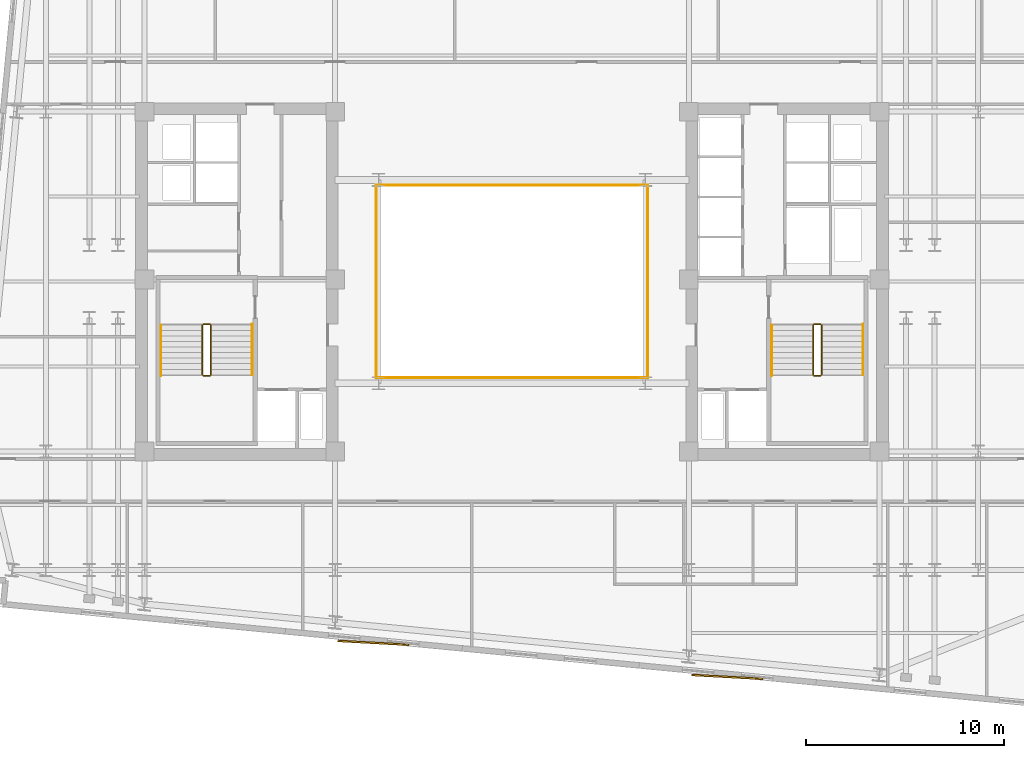
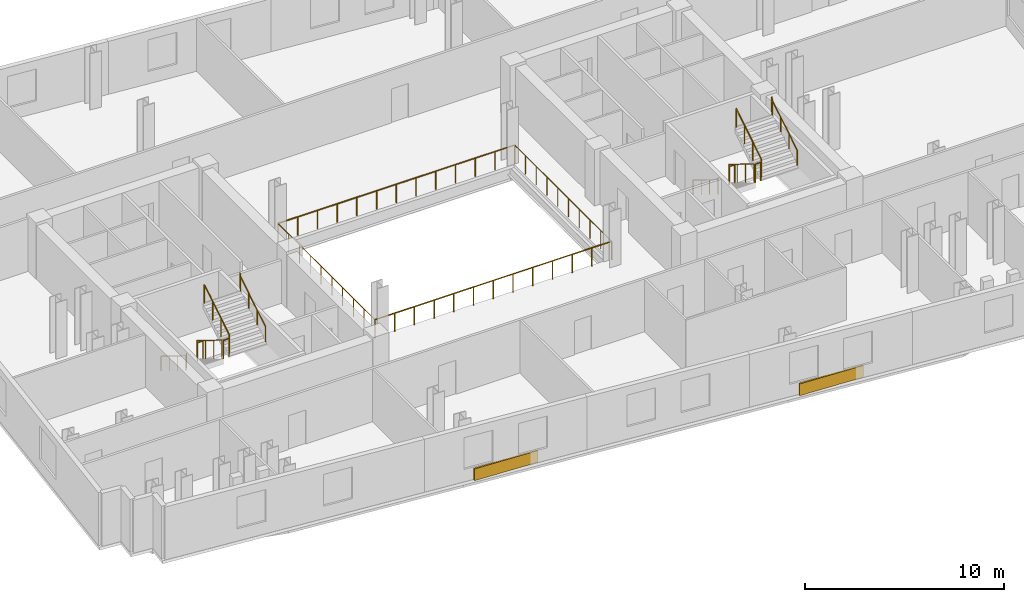
# One storey, part 8 of 9: 16 railings, 2 coverings.
"""IFC4 building model written with IfcOpenShell, lengths in metres."""

from ifc_helpers import new_model, si_unit, direction, frame, origin, origin_2d, place, context, subcontext, project, spatial, rectangle, circle, extrude, material, layer, layer_set, type_object, element, save


model = new_model("IFC4")

# Units and contexts
model_context = context("Model", 3, precision=1e-05, world=origin(), true_north=direction((0.0, 1.0)))
body_context = subcontext(model_context, "Body", "Model", "MODEL_VIEW")
ifc_project = project(units=[si_unit("LENGTHUNIT", "METRE"), si_unit("AREAUNIT", "SQUARE_METRE"), si_unit("VOLUMEUNIT", "CUBIC_METRE"), si_unit("PLANEANGLEUNIT", "RADIAN"), si_unit("MASSUNIT", "GRAM", prefix="KILO")], contexts=[model_context])

# Site, building, storey
site_placement = place(None, origin())
site = spatial("IfcSite", under=ifc_project, at=site_placement, CompositionType="ELEMENT")
building_placement = place(site_placement, origin())
building = spatial("IfcBuilding", under=site, at=building_placement, Name="Velakula Bourse", CompositionType="ELEMENT")
storey_placement = place(building_placement, frame((0.0, 0.0, 170.75)))
storey = spatial("IfcBuildingStorey", under=building, at=storey_placement, Name="L46", CompositionType="ELEMENT", Elevation=170.75)

# Coverings
ifc_material_1 = material(Name="Buff kilned clay facing brick masonry", Category="masonry")
ifc_layer = layer(ifc_material_1, 0.074951171875, Name="Buff kilned clay facing brick masonry", Category="masonry")
ifc_layer_set = layer_set([ifc_layer], Name="Buff kilned clay facing brick masonry")
covering_type = type_object("IfcCoveringType", Name="COV-BRK-SPN-75", PredefinedType="CLADDING", material=ifc_layer_set)
for number, where, z_axis, x_axis, name in (
    (1, (-7.01220703125, -18.288330078125, 0.0), (0.0, 0.0, 1.0), (0.998489097451, -0.054950179912, 0.0), "L46 Folded Brick Facade Cladding Panel S-B2"),
    (2, (10.905029296875, -20.013671875, 0.0), (0.0, 0.0, 1.0), (0.998489097451, -0.054950179912, 0.0), "L46 Folded Brick Facade Cladding Panel S-B4"),
):
    element("IfcCovering", number, at=place(storey_placement, frame(where, z_axis=z_axis, x_axis=x_axis)), inside=storey, type_object=covering_type, Name=name, PredefinedType="CLADDING", context=body_context, shape_type="SweptSolid", body=[
        extrude(rectangle(XDim=3.60009765625, YDim=0.090087890625, at=origin_2d()), origin(), (0.0, 0.0, 1.0), 0.719970703125),
    ])

# Railings
ifc_material_2 = material(Name="Brushed grade 316 stainless steel", Category="steel")
railing_type_1 = type_object("IfcRailingType", Name="RLG-ATRIUM-1150", PredefinedType="BALUSTRADE", material=ifc_material_2)
railing_1_placement = place(storey_placement, frame((-6.8798828125, -4.8798828125, 0.0)))
element("IfcRailing", 3, at=railing_1_placement, inside=storey, type_object=railing_type_1, Name="L46 Central Trading Atrium Balustrade S", PredefinedType="BALUSTRADE", context=body_context, shape_type="SweptSolid", body=[
    extrude(circle(Radius=0.02392578125, at=origin_2d()), frame((0.0, 0.0, 1.1259765625), z_axis=(1.0, 0.0, 0.0), x_axis=(0.0, 1.0, 0.0)), (0.0, 0.0, 1.0), 13.759765625),
    extrude(circle(Radius=0.02099609375, at=origin_2d()), origin(), (0.0, 0.0, 1.0), 1.101806640625),
    extrude(circle(Radius=0.02099609375, at=origin_2d()), frame((1.146728515625, 0.0, 0.0)), (0.0, 0.0, 1.0), 1.101806640625),
    extrude(circle(Radius=0.02099609375, at=origin_2d()), frame((2.293212890625, 0.0, 0.0)), (0.0, 0.0, 1.0), 1.101806640625),
    extrude(circle(Radius=0.02099609375, at=origin_2d()), frame((3.43994140625, 0.0, 0.0)), (0.0, 0.0, 1.0), 1.101806640625),
    extrude(circle(Radius=0.02099609375, at=origin_2d()), frame((4.586669921875, 0.0, 0.0)), (0.0, 0.0, 1.0), 1.101806640625),
    extrude(circle(Radius=0.02099609375, at=origin_2d()), frame((5.733154296875, 0.0, 0.0)), (0.0, 0.0, 1.0), 1.101806640625),
    extrude(circle(Radius=0.02099609375, at=origin_2d()), frame((6.8798828125, 0.0, 0.0)), (0.0, 0.0, 1.0), 1.101806640625),
    extrude(circle(Radius=0.02099609375, at=origin_2d()), frame((8.026611328125, 0.0, 0.0)), (0.0, 0.0, 1.0), 1.101806640625),
    extrude(circle(Radius=0.02099609375, at=origin_2d()), frame((9.173095703125, 0.0, 0.0)), (0.0, 0.0, 1.0), 1.101806640625),
    extrude(circle(Radius=0.02099609375, at=origin_2d()), frame((10.31982421875, 0.0, 0.0)), (0.0, 0.0, 1.0), 1.101806640625),
    extrude(circle(Radius=0.02099609375, at=origin_2d()), frame((11.466552734375, 0.0, 0.0)), (0.0, 0.0, 1.0), 1.101806640625),
    extrude(circle(Radius=0.02099609375, at=origin_2d()), frame((12.613037109375, 0.0, 0.0)), (0.0, 0.0, 1.0), 1.101806640625),
    extrude(circle(Radius=0.02099609375, at=origin_2d()), frame((13.759765625, 0.0, 0.0)), (0.0, 0.0, 1.0), 1.101806640625),
])
railing_2_placement = place(storey_placement, frame((6.8798828125, -4.8798828125, 0.0)))
element("IfcRailing", 4, at=railing_2_placement, inside=storey, type_object=railing_type_1, Name="L46 Central Trading Atrium Balustrade E", PredefinedType="BALUSTRADE", context=body_context, shape_type="SweptSolid", body=[
    extrude(circle(Radius=0.02392578125, at=origin_2d()), frame((0.0, 0.0, 1.1259765625), z_axis=(0.0, 1.0, 0.0), x_axis=(-1.0, 0.0, 0.0)), (0.0, 0.0, 1.0), 9.759765625),
    extrude(circle(Radius=0.02099609375, at=origin_2d()), origin(), (0.0, 0.0, 1.0), 1.101806640625),
    extrude(circle(Radius=0.02099609375, at=origin_2d()), frame((0.0, 1.08447265625, 0.0)), (0.0, 0.0, 1.0), 1.101806640625),
    extrude(circle(Radius=0.02099609375, at=origin_2d()), frame((0.0, 2.1689453125, 0.0)), (0.0, 0.0, 1.0), 1.101806640625),
    extrude(circle(Radius=0.02099609375, at=origin_2d()), frame((0.0, 3.253173828125, 0.0)), (0.0, 0.0, 1.0), 1.101806640625),
    extrude(circle(Radius=0.02099609375, at=origin_2d()), frame((0.0, 4.337646484375, 0.0)), (0.0, 0.0, 1.0), 1.101806640625),
    extrude(circle(Radius=0.02099609375, at=origin_2d()), frame((0.0, 5.422119140625, 0.0)), (0.0, 0.0, 1.0), 1.101806640625),
    extrude(circle(Radius=0.02099609375, at=origin_2d()), frame((0.0, 6.506591796875, 0.0)), (0.0, 0.0, 1.0), 1.101806640625),
    extrude(circle(Radius=0.02099609375, at=origin_2d()), frame((0.0, 7.5908203125, 0.0)), (0.0, 0.0, 1.0), 1.101806640625),
    extrude(circle(Radius=0.02099609375, at=origin_2d()), frame((0.0, 8.67529296875, 0.0)), (0.0, 0.0, 1.0), 1.101806640625),
    extrude(circle(Radius=0.02099609375, at=origin_2d()), frame((0.0, 9.759765625, 0.0)), (0.0, 0.0, 1.0), 1.101806640625),
])
railing_3_placement = place(storey_placement, frame((6.8798828125, 4.8798828125, 0.0)))
element("IfcRailing", 5, at=railing_3_placement, inside=storey, type_object=railing_type_1, Name="L46 Central Trading Atrium Balustrade N", PredefinedType="BALUSTRADE", context=body_context, shape_type="SweptSolid", body=[
    extrude(circle(Radius=0.02392578125, at=origin_2d()), frame((0.0, 0.0, 1.1259765625), z_axis=(-1.0, 0.0, 0.0), x_axis=(0.0, -1.0, 0.0)), (0.0, 0.0, 1.0), 13.759765625),
    extrude(circle(Radius=0.02099609375, at=origin_2d()), origin(), (0.0, 0.0, 1.0), 1.101806640625),
    extrude(circle(Radius=0.02099609375, at=origin_2d()), frame((-1.146728515625, 0.0, 0.0)), (0.0, 0.0, 1.0), 1.101806640625),
    extrude(circle(Radius=0.02099609375, at=origin_2d()), frame((-2.293212890625, 0.0, 0.0)), (0.0, 0.0, 1.0), 1.101806640625),
    extrude(circle(Radius=0.02099609375, at=origin_2d()), frame((-3.43994140625, 0.0, 0.0)), (0.0, 0.0, 1.0), 1.101806640625),
    extrude(circle(Radius=0.02099609375, at=origin_2d()), frame((-4.586669921875, 0.0, 0.0)), (0.0, 0.0, 1.0), 1.101806640625),
    extrude(circle(Radius=0.02099609375, at=origin_2d()), frame((-5.733154296875, 0.0, 0.0)), (0.0, 0.0, 1.0), 1.101806640625),
    extrude(circle(Radius=0.02099609375, at=origin_2d()), frame((-6.8798828125, 0.0, 0.0)), (0.0, 0.0, 1.0), 1.101806640625),
    extrude(circle(Radius=0.02099609375, at=origin_2d()), frame((-8.026611328125, 0.0, 0.0)), (0.0, 0.0, 1.0), 1.101806640625),
    extrude(circle(Radius=0.02099609375, at=origin_2d()), frame((-9.173095703125, 0.0, 0.0)), (0.0, 0.0, 1.0), 1.101806640625),
    extrude(circle(Radius=0.02099609375, at=origin_2d()), frame((-10.31982421875, 0.0, 0.0)), (0.0, 0.0, 1.0), 1.101806640625),
    extrude(circle(Radius=0.02099609375, at=origin_2d()), frame((-11.466552734375, 0.0, 0.0)), (0.0, 0.0, 1.0), 1.101806640625),
    extrude(circle(Radius=0.02099609375, at=origin_2d()), frame((-12.613037109375, 0.0, 0.0)), (0.0, 0.0, 1.0), 1.101806640625),
    extrude(circle(Radius=0.02099609375, at=origin_2d()), frame((-13.759765625, 0.0, 0.0)), (0.0, 0.0, 1.0), 1.101806640625),
])
railing_4_placement = place(storey_placement, frame((-6.8798828125, 4.8798828125, 0.0)))
element("IfcRailing", 6, at=railing_4_placement, inside=storey, type_object=railing_type_1, Name="L46 Central Trading Atrium Balustrade W", PredefinedType="BALUSTRADE", context=body_context, shape_type="SweptSolid", body=[
    extrude(circle(Radius=0.02392578125, at=origin_2d()), frame((0.0, 0.0, 1.1259765625), z_axis=(0.0, -1.0, 0.0), x_axis=(1.0, 0.0, 0.0)), (0.0, 0.0, 1.0), 9.759765625),
    extrude(circle(Radius=0.02099609375, at=origin_2d()), origin(), (0.0, 0.0, 1.0), 1.101806640625),
    extrude(circle(Radius=0.02099609375, at=origin_2d()), frame((0.0, -1.08447265625, 0.0)), (0.0, 0.0, 1.0), 1.101806640625),
    extrude(circle(Radius=0.02099609375, at=origin_2d()), frame((0.0, -2.1689453125, 0.0)), (0.0, 0.0, 1.0), 1.101806640625),
    extrude(circle(Radius=0.02099609375, at=origin_2d()), frame((0.0, -3.253173828125, 0.0)), (0.0, 0.0, 1.0), 1.101806640625),
    extrude(circle(Radius=0.02099609375, at=origin_2d()), frame((0.0, -4.337646484375, 0.0)), (0.0, 0.0, 1.0), 1.101806640625),
    extrude(circle(Radius=0.02099609375, at=origin_2d()), frame((0.0, -5.422119140625, 0.0)), (0.0, 0.0, 1.0), 1.101806640625),
    extrude(circle(Radius=0.02099609375, at=origin_2d()), frame((0.0, -6.506591796875, 0.0)), (0.0, 0.0, 1.0), 1.101806640625),
    extrude(circle(Radius=0.02099609375, at=origin_2d()), frame((0.0, -7.5908203125, 0.0)), (0.0, 0.0, 1.0), 1.101806640625),
    extrude(circle(Radius=0.02099609375, at=origin_2d()), frame((0.0, -8.67529296875, 0.0)), (0.0, 0.0, 1.0), 1.101806640625),
    extrude(circle(Radius=0.02099609375, at=origin_2d()), frame((0.0, -9.759765625, 0.0)), (0.0, 0.0, 1.0), 1.101806640625),
])
railing_type_2 = type_object("IfcRailingType", Name="RLG-STAIR-GUARD-1150", PredefinedType="BALUSTRADE", material=ifc_material_2)
railing_5_placement = place(storey_placement, frame((-15.672119140625, -2.199951171875, 0.172607421875)))
element("IfcRailing", 7, at=railing_5_placement, inside=storey, type_object=railing_type_2, Name="L46 ST-W1 stair guard 1", PredefinedType="BALUSTRADE", context=body_context, shape_type="SweptSolid", body=[
    extrude(circle(Radius=0.02490234375, at=origin_2d()), frame((0.0, 0.0, 1.125), z_axis=(0.0, -0.851400495292, 0.524516154772), x_axis=(1.0, 0.0, 0.0)), (0.0, 0.0, 1.0), 2.9599609375),
    extrude(circle(Radius=0.02099609375, at=origin_2d()), origin(), (0.0, 0.0, 1.0), 1.099853515625),
    extrude(circle(Radius=0.02099609375, at=origin_2d()), frame((0.0, -0.840087890625, 0.517578125)), (0.0, 0.0, 1.0), 1.099853515625),
    extrude(circle(Radius=0.02099609375, at=origin_2d()), frame((0.0, -1.679931640625, 1.034912109375)), (0.0, 0.0, 1.0), 1.099853515625),
    extrude(circle(Radius=0.02099609375, at=origin_2d()), frame((0.0, -2.52001953125, 1.552490234375)), (0.0, 0.0, 1.0), 1.099853515625),
])
railing_6_placement = place(storey_placement, frame((-15.6220703125, -4.77001953125, 1.72509765625)))
element("IfcRailing", 8, at=railing_6_placement, inside=storey, type_object=railing_type_2, Name="L46 ST-W1 stair guard 2", PredefinedType="BALUSTRADE", context=body_context, shape_type="SweptSolid", body=[
    extrude(circle(Radius=0.02490234375, at=origin_2d()), frame((0.0, 0.0, 1.125), z_axis=(1.0, 0.0, 0.0), x_axis=(0.0, 1.0, 0.0)), (0.0, 0.0, 1.0), 0.323974609375),
    extrude(circle(Radius=0.02099609375, at=origin_2d()), origin(), (0.0, 0.0, 1.0), 1.099853515625),
    extrude(circle(Radius=0.02099609375, at=origin_2d()), frame((0.323974609375, 0.0, 0.0)), (0.0, 0.0, 1.0), 1.099853515625),
])
railing_7_placement = place(storey_placement, frame((-15.248046875, -4.719970703125, 1.8974609375)))
element("IfcRailing", 9, at=railing_7_placement, inside=storey, type_object=railing_type_2, Name="L46 ST-W1 stair guard 3", PredefinedType="BALUSTRADE", context=body_context, shape_type="SweptSolid", body=[
    extrude(circle(Radius=0.02490234375, at=origin_2d()), frame((0.0, 0.0, 1.125), z_axis=(0.0, 0.851400495292, 0.524516154772), x_axis=(-1.0, 0.0, 0.0)), (0.0, 0.0, 1.0), 2.9599609375),
    extrude(circle(Radius=0.02099609375, at=origin_2d()), origin(), (0.0, 0.0, 1.0), 1.099853515625),
    extrude(circle(Radius=0.02099609375, at=origin_2d()), frame((0.0, 0.840087890625, 0.517578125)), (0.0, 0.0, 1.0), 1.099853515625),
    extrude(circle(Radius=0.02099609375, at=origin_2d()), frame((0.0, 1.679931640625, 1.034912109375)), (0.0, 0.0, 1.0), 1.099853515625),
    extrude(circle(Radius=0.02099609375, at=origin_2d()), frame((0.0, 2.52001953125, 1.552490234375)), (0.0, 0.0, 1.0), 1.099853515625),
])
railing_8_placement = place(storey_placement, frame((-15.6220703125, -2.14990234375, 0.0)))
element("IfcRailing", 10, at=railing_8_placement, inside=storey, type_object=railing_type_2, Name="L46 ST-W1 stair guard 4", PredefinedType="BALUSTRADE", context=body_context, shape_type="SweptSolid", body=[
    extrude(circle(Radius=0.02490234375, at=origin_2d()), frame((0.0, 0.0, 1.125), z_axis=(1.0, 0.0, 0.0), x_axis=(0.0, 1.0, 0.0)), (0.0, 0.0, 1.0), 0.323974609375),
    extrude(circle(Radius=0.02099609375, at=origin_2d()), origin(), (0.0, 0.0, 1.0), 1.099853515625),
    extrude(circle(Radius=0.02099609375, at=origin_2d()), frame((0.323974609375, 0.0, 0.0)), (0.0, 0.0, 1.0), 1.099853515625),
])
railing_9_placement = place(storey_placement, frame((15.248046875, -2.199951171875, 0.172607421875)))
element("IfcRailing", 11, at=railing_9_placement, inside=storey, type_object=railing_type_2, Name="L46 ST-E1 stair guard 1", PredefinedType="BALUSTRADE", context=body_context, shape_type="SweptSolid", body=[
    extrude(circle(Radius=0.02490234375, at=origin_2d()), frame((0.0, 0.0, 1.125), z_axis=(0.0, -0.851400495292, 0.524516154772), x_axis=(1.0, 0.0, 0.0)), (0.0, 0.0, 1.0), 2.9599609375),
    extrude(circle(Radius=0.02099609375, at=origin_2d()), origin(), (0.0, 0.0, 1.0), 1.099853515625),
    extrude(circle(Radius=0.02099609375, at=origin_2d()), frame((0.0, -0.840087890625, 0.517578125)), (0.0, 0.0, 1.0), 1.099853515625),
    extrude(circle(Radius=0.02099609375, at=origin_2d()), frame((0.0, -1.679931640625, 1.034912109375)), (0.0, 0.0, 1.0), 1.099853515625),
    extrude(circle(Radius=0.02099609375, at=origin_2d()), frame((0.0, -2.52001953125, 1.552490234375)), (0.0, 0.0, 1.0), 1.099853515625),
])
railing_10_placement = place(storey_placement, frame((15.298095703125, -4.77001953125, 1.72509765625)))
element("IfcRailing", 12, at=railing_10_placement, inside=storey, type_object=railing_type_2, Name="L46 ST-E1 stair guard 2", PredefinedType="BALUSTRADE", context=body_context, shape_type="SweptSolid", body=[
    extrude(circle(Radius=0.02490234375, at=origin_2d()), frame((0.0, 0.0, 1.125), z_axis=(1.0, 0.0, 0.0), x_axis=(0.0, 1.0, 0.0)), (0.0, 0.0, 1.0), 0.323974609375),
    extrude(circle(Radius=0.02099609375, at=origin_2d()), origin(), (0.0, 0.0, 1.0), 1.099853515625),
    extrude(circle(Radius=0.02099609375, at=origin_2d()), frame((0.323974609375, 0.0, 0.0)), (0.0, 0.0, 1.0), 1.099853515625),
])
railing_11_placement = place(storey_placement, frame((15.672119140625, -4.719970703125, 1.8974609375)))
element("IfcRailing", 13, at=railing_11_placement, inside=storey, type_object=railing_type_2, Name="L46 ST-E1 stair guard 3", PredefinedType="BALUSTRADE", context=body_context, shape_type="SweptSolid", body=[
    extrude(circle(Radius=0.02490234375, at=origin_2d()), frame((0.0, 0.0, 1.125), z_axis=(0.0, 0.851400495292, 0.524516154772), x_axis=(-1.0, 0.0, 0.0)), (0.0, 0.0, 1.0), 2.9599609375),
    extrude(circle(Radius=0.02099609375, at=origin_2d()), origin(), (0.0, 0.0, 1.0), 1.099853515625),
    extrude(circle(Radius=0.02099609375, at=origin_2d()), frame((0.0, 0.840087890625, 0.517578125)), (0.0, 0.0, 1.0), 1.099853515625),
    extrude(circle(Radius=0.02099609375, at=origin_2d()), frame((0.0, 1.679931640625, 1.034912109375)), (0.0, 0.0, 1.0), 1.099853515625),
    extrude(circle(Radius=0.02099609375, at=origin_2d()), frame((0.0, 2.52001953125, 1.552490234375)), (0.0, 0.0, 1.0), 1.099853515625),
])
railing_12_placement = place(storey_placement, frame((15.298095703125, -2.14990234375, 0.0)))
element("IfcRailing", 14, at=railing_12_placement, inside=storey, type_object=railing_type_2, Name="L46 ST-E1 stair guard 4", PredefinedType="BALUSTRADE", context=body_context, shape_type="SweptSolid", body=[
    extrude(circle(Radius=0.02490234375, at=origin_2d()), frame((0.0, 0.0, 1.125), z_axis=(1.0, 0.0, 0.0), x_axis=(0.0, 1.0, 0.0)), (0.0, 0.0, 1.0), 0.323974609375),
    extrude(circle(Radius=0.02099609375, at=origin_2d()), origin(), (0.0, 0.0, 1.0), 1.099853515625),
    extrude(circle(Radius=0.02099609375, at=origin_2d()), frame((0.323974609375, 0.0, 0.0)), (0.0, 0.0, 1.0), 1.099853515625),
])
railing_type_3 = type_object("IfcRailingType", Name="RLG-STAIR-HAND-920", PredefinedType="HANDRAIL", material=ifc_material_2)
railing_13_placement = place(storey_placement, frame((-17.77001953125, -2.199951171875, 0.172607421875)))
element("IfcRailing", 15, at=railing_13_placement, inside=storey, type_object=railing_type_3, Name="L46 ST-W1 stair handrail 1", PredefinedType="HANDRAIL", context=body_context, shape_type="SweptSolid", body=[
    extrude(circle(Radius=0.02099609375, at=origin_2d()), frame((0.0, 0.0, 0.89892578125), z_axis=(0.0, -0.851400495292, 0.524516154772), x_axis=(1.0, 0.0, 0.0)), (0.0, 0.0, 1.0), 2.9599609375),
    extrude(circle(Radius=0.02099609375, at=origin_2d()), frame((0.0, -2.52001953125, 2.451416015625), z_axis=(0.0, -0.226269970362, 0.974064628509), x_axis=(1.0, 0.0, 0.0)), (0.0, 0.0, 1.0), 0.177001953125),
    extrude(circle(Radius=0.02099609375, at=origin_2d()), frame((0.0, -2.56005859375, 2.623779296875), z_axis=(0.0, -1.0, 0.0), x_axis=(1.0, 0.0, 0.0)), (0.0, 0.0, 1.0), 0.0048828125),
    extrude(circle(Radius=0.02099609375, at=origin_2d()), origin(), (0.0, 0.0, 1.0), 0.8779296875),
    extrude(circle(Radius=0.02099609375, at=origin_2d()), frame((0.0, -0.840087890625, 0.517578125)), (0.0, 0.0, 1.0), 0.8779296875),
    extrude(circle(Radius=0.02099609375, at=origin_2d()), frame((0.0, -1.679931640625, 1.034912109375)), (0.0, 0.0, 1.0), 0.8779296875),
    extrude(circle(Radius=0.02099609375, at=origin_2d()), frame((0.0, -2.52001953125, 1.552490234375)), (0.0, 0.0, 1.0), 0.8779296875),
    extrude(circle(Radius=0.02099609375, at=origin_2d()), frame((0.0, -2.56005859375, 1.724853515625)), (0.0, 0.0, 1.0), 0.8779296875),
    extrude(circle(Radius=0.02099609375, at=origin_2d()), frame((0.0, -2.56494140625, 1.724853515625)), (0.0, 0.0, 1.0), 0.8779296875),
])
railing_14_placement = place(storey_placement, frame((-13.14990234375, -4.719970703125, 1.8974609375)))
element("IfcRailing", 16, at=railing_14_placement, inside=storey, type_object=railing_type_3, Name="L46 ST-W1 stair handrail 2", PredefinedType="HANDRAIL", context=body_context, shape_type="SweptSolid", body=[
    extrude(circle(Radius=0.02099609375, at=origin_2d()), frame((0.0, 0.0, 0.89892578125), z_axis=(0.0, 0.851400495292, 0.524516154772), x_axis=(-1.0, 0.0, 0.0)), (0.0, 0.0, 1.0), 2.9599609375),
    extrude(circle(Radius=0.02099609375, at=origin_2d()), frame((0.0, 2.52001953125, 2.451416015625), z_axis=(0.0, 0.22596628056, 0.974135124123), x_axis=(-1.0, 0.0, 0.0)), (0.0, 0.0, 1.0), 0.17724609375),
    extrude(circle(Radius=0.02099609375, at=origin_2d()), frame((0.0, 2.56005859375, 2.6240234375), z_axis=(0.0, 1.0, 0.0), x_axis=(-1.0, 0.0, 0.0)), (0.0, 0.0, 1.0), 0.0048828125),
    extrude(circle(Radius=0.02099609375, at=origin_2d()), origin(), (0.0, 0.0, 1.0), 0.8779296875),
    extrude(circle(Radius=0.02099609375, at=origin_2d()), frame((0.0, 0.840087890625, 0.517578125)), (0.0, 0.0, 1.0), 0.8779296875),
    extrude(circle(Radius=0.02099609375, at=origin_2d()), frame((0.0, 1.679931640625, 1.034912109375)), (0.0, 0.0, 1.0), 0.8779296875),
    extrude(circle(Radius=0.02099609375, at=origin_2d()), frame((0.0, 2.52001953125, 1.552490234375)), (0.0, 0.0, 1.0), 0.8779296875),
    extrude(circle(Radius=0.02099609375, at=origin_2d()), frame((0.0, 2.56005859375, 1.72509765625)), (0.0, 0.0, 1.0), 0.8779296875),
    extrude(circle(Radius=0.02099609375, at=origin_2d()), frame((0.0, 2.56494140625, 1.72509765625)), (0.0, 0.0, 1.0), 0.8779296875),
])
railing_15_placement = place(storey_placement, frame((13.14990234375, -2.199951171875, 0.172607421875)))
element("IfcRailing", 17, at=railing_15_placement, inside=storey, type_object=railing_type_3, Name="L46 ST-E1 stair handrail 1", PredefinedType="HANDRAIL", context=body_context, shape_type="SweptSolid", body=[
    extrude(circle(Radius=0.02099609375, at=origin_2d()), frame((0.0, 0.0, 0.89892578125), z_axis=(0.0, -0.851400495292, 0.524516154772), x_axis=(1.0, 0.0, 0.0)), (0.0, 0.0, 1.0), 2.9599609375),
    extrude(circle(Radius=0.02099609375, at=origin_2d()), frame((0.0, -2.52001953125, 2.451416015625), z_axis=(0.0, -0.226269970362, 0.974064628509), x_axis=(1.0, 0.0, 0.0)), (0.0, 0.0, 1.0), 0.177001953125),
    extrude(circle(Radius=0.02099609375, at=origin_2d()), frame((0.0, -2.56005859375, 2.623779296875), z_axis=(0.0, -1.0, 0.0), x_axis=(1.0, 0.0, 0.0)), (0.0, 0.0, 1.0), 0.0048828125),
    extrude(circle(Radius=0.02099609375, at=origin_2d()), origin(), (0.0, 0.0, 1.0), 0.8779296875),
    extrude(circle(Radius=0.02099609375, at=origin_2d()), frame((0.0, -0.840087890625, 0.517578125)), (0.0, 0.0, 1.0), 0.8779296875),
    extrude(circle(Radius=0.02099609375, at=origin_2d()), frame((0.0, -1.679931640625, 1.034912109375)), (0.0, 0.0, 1.0), 0.8779296875),
    extrude(circle(Radius=0.02099609375, at=origin_2d()), frame((0.0, -2.52001953125, 1.552490234375)), (0.0, 0.0, 1.0), 0.8779296875),
    extrude(circle(Radius=0.02099609375, at=origin_2d()), frame((0.0, -2.56005859375, 1.724853515625)), (0.0, 0.0, 1.0), 0.8779296875),
    extrude(circle(Radius=0.02099609375, at=origin_2d()), frame((0.0, -2.56494140625, 1.724853515625)), (0.0, 0.0, 1.0), 0.8779296875),
])
railing_16_placement = place(storey_placement, frame((17.77001953125, -4.719970703125, 1.8974609375)))
element("IfcRailing", 18, at=railing_16_placement, inside=storey, type_object=railing_type_3, Name="L46 ST-E1 stair handrail 2", PredefinedType="HANDRAIL", context=body_context, shape_type="SweptSolid", body=[
    extrude(circle(Radius=0.02099609375, at=origin_2d()), frame((0.0, 0.0, 0.89892578125), z_axis=(0.0, 0.851400495292, 0.524516154772), x_axis=(-1.0, 0.0, 0.0)), (0.0, 0.0, 1.0), 2.9599609375),
    extrude(circle(Radius=0.02099609375, at=origin_2d()), frame((0.0, 2.52001953125, 2.451416015625), z_axis=(0.0, 0.22596628056, 0.974135124123), x_axis=(-1.0, 0.0, 0.0)), (0.0, 0.0, 1.0), 0.17724609375),
    extrude(circle(Radius=0.02099609375, at=origin_2d()), frame((0.0, 2.56005859375, 2.6240234375), z_axis=(0.0, 1.0, 0.0), x_axis=(-1.0, 0.0, 0.0)), (0.0, 0.0, 1.0), 0.0048828125),
    extrude(circle(Radius=0.02099609375, at=origin_2d()), origin(), (0.0, 0.0, 1.0), 0.8779296875),
    extrude(circle(Radius=0.02099609375, at=origin_2d()), frame((0.0, 0.840087890625, 0.517578125)), (0.0, 0.0, 1.0), 0.8779296875),
    extrude(circle(Radius=0.02099609375, at=origin_2d()), frame((0.0, 1.679931640625, 1.034912109375)), (0.0, 0.0, 1.0), 0.8779296875),
    extrude(circle(Radius=0.02099609375, at=origin_2d()), frame((0.0, 2.52001953125, 1.552490234375)), (0.0, 0.0, 1.0), 0.8779296875),
    extrude(circle(Radius=0.02099609375, at=origin_2d()), frame((0.0, 2.56005859375, 1.72509765625)), (0.0, 0.0, 1.0), 0.8779296875),
    extrude(circle(Radius=0.02099609375, at=origin_2d()), frame((0.0, 2.56494140625, 1.72509765625)), (0.0, 0.0, 1.0), 0.8779296875),
])

save(model, "model.ifc")
